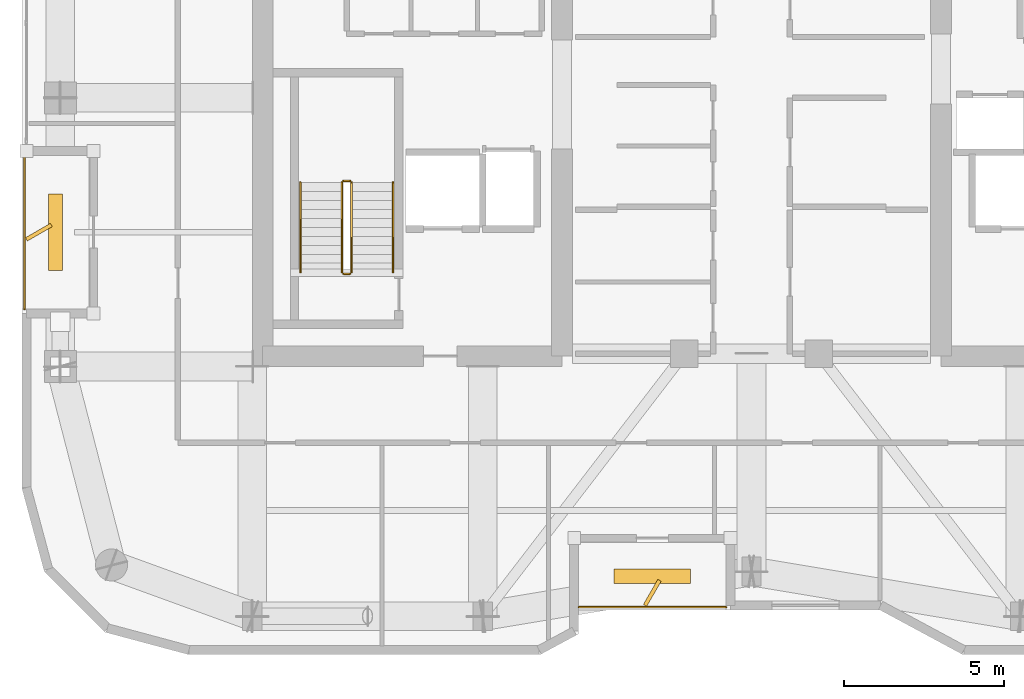
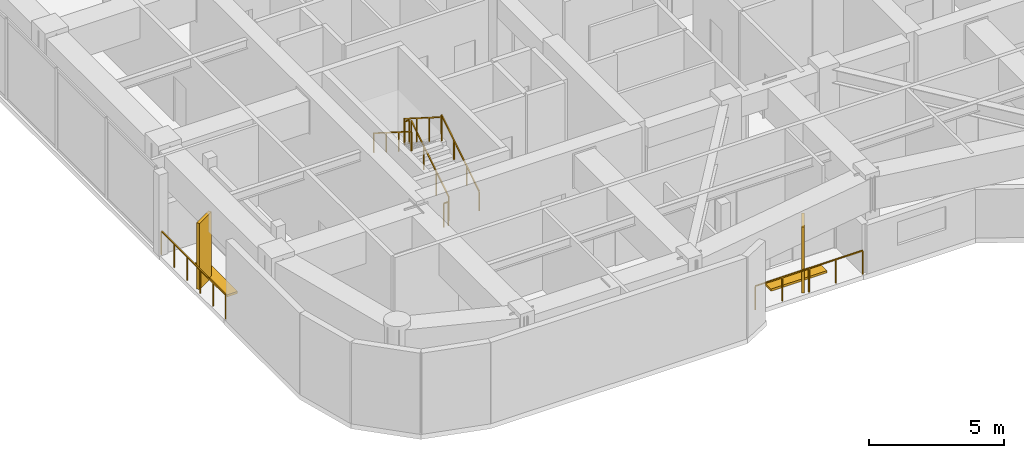
# One storey, part 19 of 21: 8 railings, 4 shading devices.
"""IFC4 building model written with IfcOpenShell, lengths in metres."""

from ifc_helpers import new_model, si_unit, direction, frame, origin, origin_2d, place, context, subcontext, project, spatial, rectangle, extrude, material, type_object, element, save


model = new_model("IFC4")

# Units and contexts
model_context = context("Model", 3, precision=1e-05, world=origin(), true_north=direction((0.0, 1.0)))
body_context = subcontext(model_context, "Body", "Model", "MODEL_VIEW")
ifc_project = project(units=[si_unit("LENGTHUNIT", "METRE"), si_unit("AREAUNIT", "SQUARE_METRE"), si_unit("VOLUMEUNIT", "CUBIC_METRE"), si_unit("PLANEANGLEUNIT", "RADIAN"), si_unit("MASSUNIT", "GRAM", prefix="KILO")], contexts=[model_context])

# Site, building, storey
site_placement = place(None, origin())
site = spatial("IfcSite", under=ifc_project, at=site_placement, CompositionType="ELEMENT")
building_placement = place(site_placement, origin())
building = spatial("IfcBuilding", under=site, at=building_placement, Name="Kiyonajd Concourse Tower", CompositionType="ELEMENT")
storey_placement = place(building_placement, frame((0.0, 0.0, 251.10009765625)))
storey = spatial("IfcBuildingStorey", under=building, at=storey_placement, Name="L63", CompositionType="ELEMENT", Elevation=251.10009765625)

# Railings
ifc_material_1 = material(Name="Thermally Broken Anodised Aluminium", Category="aluminium")
railing_type_1 = type_object("IfcRailingType", Name="RL-GRD-LOG", PredefinedType="GUARDRAIL", material=ifc_material_1)
railing_1_placement = place(storey_placement, frame((42.60009765625, 20.080078125, 0.0)))
element("IfcRailing", 1, at=railing_1_placement, inside=storey, type_object=railing_type_1, Name="L63 Engawa Loggia Perimeter Guard LOG-S", PredefinedType="GUARDRAIL", context=body_context, shape_type="SweptSolid", body=[
    extrude(rectangle(XDim=0.048095703125, YDim=0.048095703125, at=origin_2d()), frame((0.0, 0.0, 1.076171875), z_axis=(1.0, 0.0, 0.0), x_axis=(0.0, 1.0, 0.0)), (0.0, 0.0, 1.0), 4.599853515625),
    extrude(rectangle(XDim=0.0419921875, YDim=0.0419921875, at=origin_2d()), origin(), (0.0, 0.0, 1.0), 1.052001953125),
    extrude(rectangle(XDim=0.0419921875, YDim=0.0419921875, at=origin_2d()), frame((1.14990234375, 0.0, 0.0)), (0.0, 0.0, 1.0), 1.052001953125),
    extrude(rectangle(XDim=0.0419921875, YDim=0.0419921875, at=origin_2d()), frame((2.2998046875, 0.0, 0.0)), (0.0, 0.0, 1.0), 1.052001953125),
    extrude(rectangle(XDim=0.0419921875, YDim=0.0419921875, at=origin_2d()), frame((3.449951171875, 0.0, 0.0)), (0.0, 0.0, 1.0), 1.052001953125),
    extrude(rectangle(XDim=0.0419921875, YDim=0.0419921875, at=origin_2d()), frame((4.599853515625, 0.0, 0.0)), (0.0, 0.0, 1.0), 1.052001953125),
])
railing_2_placement = place(storey_placement, frame((25.280029296875, 34.199951171875, 0.0)))
element("IfcRailing", 2, at=railing_2_placement, inside=storey, type_object=railing_type_1, Name="L63 Engawa Loggia Perimeter Guard LOG-W", PredefinedType="GUARDRAIL", context=body_context, shape_type="SweptSolid", body=[
    extrude(rectangle(XDim=0.048095703125, YDim=0.048095703125, at=origin_2d()), frame((0.0, 0.0, 1.076171875), z_axis=(0.0, -1.0, 0.0), x_axis=(1.0, 0.0, 0.0)), (0.0, 0.0, 1.0), 4.800048828125),
    extrude(rectangle(XDim=0.0419921875, YDim=0.0419921875, at=origin_2d()), origin(), (0.0, 0.0, 1.0), 1.052001953125),
    extrude(rectangle(XDim=0.0419921875, YDim=0.0419921875, at=origin_2d()), frame((0.0, -0.9599609375, 0.0)), (0.0, 0.0, 1.0), 1.052001953125),
    extrude(rectangle(XDim=0.0419921875, YDim=0.0419921875, at=origin_2d()), frame((0.0, -1.919921875, 0.0)), (0.0, 0.0, 1.0), 1.052001953125),
    extrude(rectangle(XDim=0.0419921875, YDim=0.0419921875, at=origin_2d()), frame((0.0, -2.880126953125, 0.0)), (0.0, 0.0, 1.0), 1.052001953125),
    extrude(rectangle(XDim=0.0419921875, YDim=0.0419921875, at=origin_2d()), frame((0.0, -3.840087890625, 0.0)), (0.0, 0.0, 1.0), 1.052001953125),
    extrude(rectangle(XDim=0.0419921875, YDim=0.0419921875, at=origin_2d()), frame((0.0, -4.800048828125, 0.0)), (0.0, 0.0, 1.0), 1.052001953125),
])
ifc_material_2 = material(Name="Steel ASTM A500 Grade C", Category="steel")
railing_type_2 = type_object("IfcRailingType", Name="RL-GRD-STR", PredefinedType="GUARDRAIL", material=ifc_material_2)
railing_3_placement = place(storey_placement, frame((35.5, 30.550048828125, 0.17724609375)))
element("IfcRailing", 3, at=railing_3_placement, inside=storey, type_object=railing_type_2, Name="L63 ST1 stair guard 1", PredefinedType="GUARDRAIL", context=body_context, shape_type="SweptSolid", body=[
    extrude(rectangle(XDim=0.048095703125, YDim=0.048095703125, at=origin_2d()), frame((0.0, 0.0, 1.076171875), z_axis=(0.0, 0.844908973607, 0.534910110503), x_axis=(-1.0, 0.0, 0.0)), (0.0, 0.0, 1.0), 3.31396484375),
    extrude(rectangle(XDim=0.0419921875, YDim=0.0419921875, at=origin_2d()), origin(), (0.0, 0.0, 1.0), 1.052001953125),
    extrude(rectangle(XDim=0.0419921875, YDim=0.0419921875, at=origin_2d()), frame((0.0, 0.933349609375, 0.5908203125)), (0.0, 0.0, 1.0), 1.052001953125),
    extrude(rectangle(XDim=0.0419921875, YDim=0.0419921875, at=origin_2d()), frame((0.0, 1.86669921875, 1.181884765625)), (0.0, 0.0, 1.0), 1.052001953125),
    extrude(rectangle(XDim=0.0419921875, YDim=0.0419921875, at=origin_2d()), frame((0.0, 2.800048828125, 1.772705078125)), (0.0, 0.0, 1.0), 1.052001953125),
])
railing_4_placement = place(storey_placement, frame((35.449951171875, 33.39990234375, 1.949951171875)))
element("IfcRailing", 4, at=railing_4_placement, inside=storey, type_object=railing_type_2, Name="L63 ST1 stair guard 2", PredefinedType="GUARDRAIL", context=body_context, shape_type="SweptSolid", body=[
    extrude(rectangle(XDim=0.048095703125, YDim=0.048095703125, at=origin_2d()), frame((0.0, 0.0, 1.076171875), z_axis=(-1.0, 0.0, 0.0), x_axis=(0.0, -1.0, 0.0)), (0.0, 0.0, 1.0), 0.199951171875),
    extrude(rectangle(XDim=0.0419921875, YDim=0.0419921875, at=origin_2d()), origin(), (0.0, 0.0, 1.0), 1.052001953125),
    extrude(rectangle(XDim=0.0419921875, YDim=0.0419921875, at=origin_2d()), frame((-0.199951171875, 0.0, 0.0)), (0.0, 0.0, 1.0), 1.052001953125),
])
railing_5_placement = place(storey_placement, frame((35.199951171875, 33.35009765625, 2.127197265625)))
element("IfcRailing", 5, at=railing_5_placement, inside=storey, type_object=railing_type_2, Name="L63 ST1 stair guard 3", PredefinedType="GUARDRAIL", context=body_context, shape_type="SweptSolid", body=[
    extrude(rectangle(XDim=0.048095703125, YDim=0.048095703125, at=origin_2d()), frame((0.0, 0.0, 1.076171875), z_axis=(0.0, -0.844908973607, 0.534910110503), x_axis=(1.0, 0.0, 0.0)), (0.0, 0.0, 1.0), 3.31396484375),
    extrude(rectangle(XDim=0.0419921875, YDim=0.0419921875, at=origin_2d()), origin(), (0.0, 0.0, 1.0), 1.052001953125),
    extrude(rectangle(XDim=0.0419921875, YDim=0.0419921875, at=origin_2d()), frame((0.0, -0.933349609375, 0.5908203125)), (0.0, 0.0, 1.0), 1.052001953125),
    extrude(rectangle(XDim=0.0419921875, YDim=0.0419921875, at=origin_2d()), frame((0.0, -1.86669921875, 1.181884765625)), (0.0, 0.0, 1.0), 1.052001953125),
    extrude(rectangle(XDim=0.0419921875, YDim=0.0419921875, at=origin_2d()), frame((0.0, -2.800048828125, 1.772705078125)), (0.0, 0.0, 1.0), 1.052001953125),
])
railing_6_placement = place(storey_placement, frame((35.449951171875, 30.5, 0.0)))
element("IfcRailing", 6, at=railing_6_placement, inside=storey, type_object=railing_type_2, Name="L63 ST1 stair guard 4", PredefinedType="GUARDRAIL", context=body_context, shape_type="SweptSolid", body=[
    extrude(rectangle(XDim=0.048095703125, YDim=0.048095703125, at=origin_2d()), frame((0.0, 0.0, 1.076171875), z_axis=(-1.0, 0.0, 0.0), x_axis=(0.0, -1.0, 0.0)), (0.0, 0.0, 1.0), 0.199951171875),
    extrude(rectangle(XDim=0.0419921875, YDim=0.0419921875, at=origin_2d()), origin(), (0.0, 0.0, 1.0), 1.052001953125),
    extrude(rectangle(XDim=0.0419921875, YDim=0.0419921875, at=origin_2d()), frame((-0.199951171875, 0.0, 0.0)), (0.0, 0.0, 1.0), 1.052001953125),
])
ifc_material_3 = material(Name="Brushed Stainless Steel Cab Assembly", Category="steel")
railing_type_3 = type_object("IfcRailingType", Name="RL-HND-900", PredefinedType="HANDRAIL", material=ifc_material_3)
railing_7_placement = place(storey_placement, frame((36.800048828125, 30.550048828125, 0.17724609375)))
element("IfcRailing", 7, at=railing_7_placement, inside=storey, type_object=railing_type_3, Name="L63 ST1 stair handrail 1", PredefinedType="HANDRAIL", context=body_context, shape_type="SweptSolid", body=[
    extrude(rectangle(XDim=0.048095703125, YDim=0.048095703125, at=origin_2d()), frame((0.0, 0.0, 0.8759765625), z_axis=(0.0, 0.844908973607, 0.534910110503), x_axis=(-1.0, 0.0, 0.0)), (0.0, 0.0, 1.0), 3.31396484375),
    extrude(rectangle(XDim=0.0419921875, YDim=0.0419921875, at=origin_2d()), origin(), (0.0, 0.0, 1.0), 0.851806640625),
    extrude(rectangle(XDim=0.0419921875, YDim=0.0419921875, at=origin_2d()), frame((0.0, 0.933349609375, 0.5908203125)), (0.0, 0.0, 1.0), 0.851806640625),
    extrude(rectangle(XDim=0.0419921875, YDim=0.0419921875, at=origin_2d()), frame((0.0, 1.86669921875, 1.181884765625)), (0.0, 0.0, 1.0), 0.851806640625),
    extrude(rectangle(XDim=0.0419921875, YDim=0.0419921875, at=origin_2d()), frame((0.0, 2.800048828125, 1.772705078125)), (0.0, 0.0, 1.0), 0.851806640625),
])
railing_8_placement = place(storey_placement, frame((33.89990234375, 33.35009765625, 2.127197265625)))
element("IfcRailing", 8, at=railing_8_placement, inside=storey, type_object=railing_type_3, Name="L63 ST1 stair handrail 2", PredefinedType="HANDRAIL", context=body_context, shape_type="SweptSolid", body=[
    extrude(rectangle(XDim=0.048095703125, YDim=0.048095703125, at=origin_2d()), frame((0.0, 0.0, 0.8759765625), z_axis=(0.0, -0.844908973607, 0.534910110503), x_axis=(1.0, 0.0, 0.0)), (0.0, 0.0, 1.0), 3.31396484375),
    extrude(rectangle(XDim=0.0419921875, YDim=0.0419921875, at=origin_2d()), origin(), (0.0, 0.0, 1.0), 0.851806640625),
    extrude(rectangle(XDim=0.0419921875, YDim=0.0419921875, at=origin_2d()), frame((0.0, -0.933349609375, 0.5908203125)), (0.0, 0.0, 1.0), 0.851806640625),
    extrude(rectangle(XDim=0.0419921875, YDim=0.0419921875, at=origin_2d()), frame((0.0, -1.86669921875, 1.181884765625)), (0.0, 0.0, 1.0), 0.851806640625),
    extrude(rectangle(XDim=0.0419921875, YDim=0.0419921875, at=origin_2d()), frame((0.0, -2.800048828125, 1.772705078125)), (0.0, 0.0, 1.0), 0.851806640625),
])

# Shading devices
ifc_material_4 = material(Name="Precast concrete C50/60", Category="concrete")
shading_device_type_1 = type_object("IfcShadingDeviceType", Name="SH-FIN-900", PredefinedType="USERDEFINED", material=ifc_material_4)
for number, where, z_axis, x_axis, name in (
    (9, (44.89990234375, 20.530029296875, 0.0), (0.0, 0.0, 1.0), (0.5, 0.866025403784, 0.0), "L63 Angled Koshi Solar Fin LOG-S"),
    (10, (25.72998046875, 31.800048828125, 0.0), (0.0, 0.0, 1.0), (0.866025403784, 0.5, 0.0), "L63 Angled Koshi Solar Fin LOG-W"),
):
    element("IfcShadingDevice", number, at=place(storey_placement, frame(where, z_axis=z_axis, x_axis=x_axis)), inside=storey, type_object=shading_device_type_1, Name=name, ObjectType="FIN", PredefinedType="USERDEFINED", context=body_context, shape_type="SweptSolid", body=[
        extrude(rectangle(XDim=0.89990234375, YDim=0.1201171875, at=origin_2d()), origin(), (0.0, 0.0, 1.0), 3.0),
    ])
shading_device_type_2 = type_object("IfcShadingDeviceType", Name="SH-LVR-600", PredefinedType="JALOUSIE", material=ifc_material_1)
for number, where, z_axis, x_axis, name in (
    (11, (44.89990234375, 21.050048828125, -0.000244140625), (0.0, 0.0, 1.0), (1.0, 0.0, 0.0), "L63 Loggia Threshold Louver LOG-S"),
    (12, (26.25, 31.800048828125, -0.000244140625), (0.0, 0.0, 1.0), (0.0, 1.0, 0.0), "L63 Loggia Threshold Louver LOG-W"),
):
    element("IfcShadingDevice", number, at=place(storey_placement, frame(where, z_axis=z_axis, x_axis=x_axis)), inside=storey, type_object=shading_device_type_2, Name=name, PredefinedType="JALOUSIE", context=body_context, shape_type="SweptSolid", body=[
        extrude(rectangle(XDim=2.39990234375, YDim=0.449951171875, at=origin_2d()), origin(), (0.0, 0.0, 1.0), 0.10009765625),
    ])

save(model, "model.ifc")
